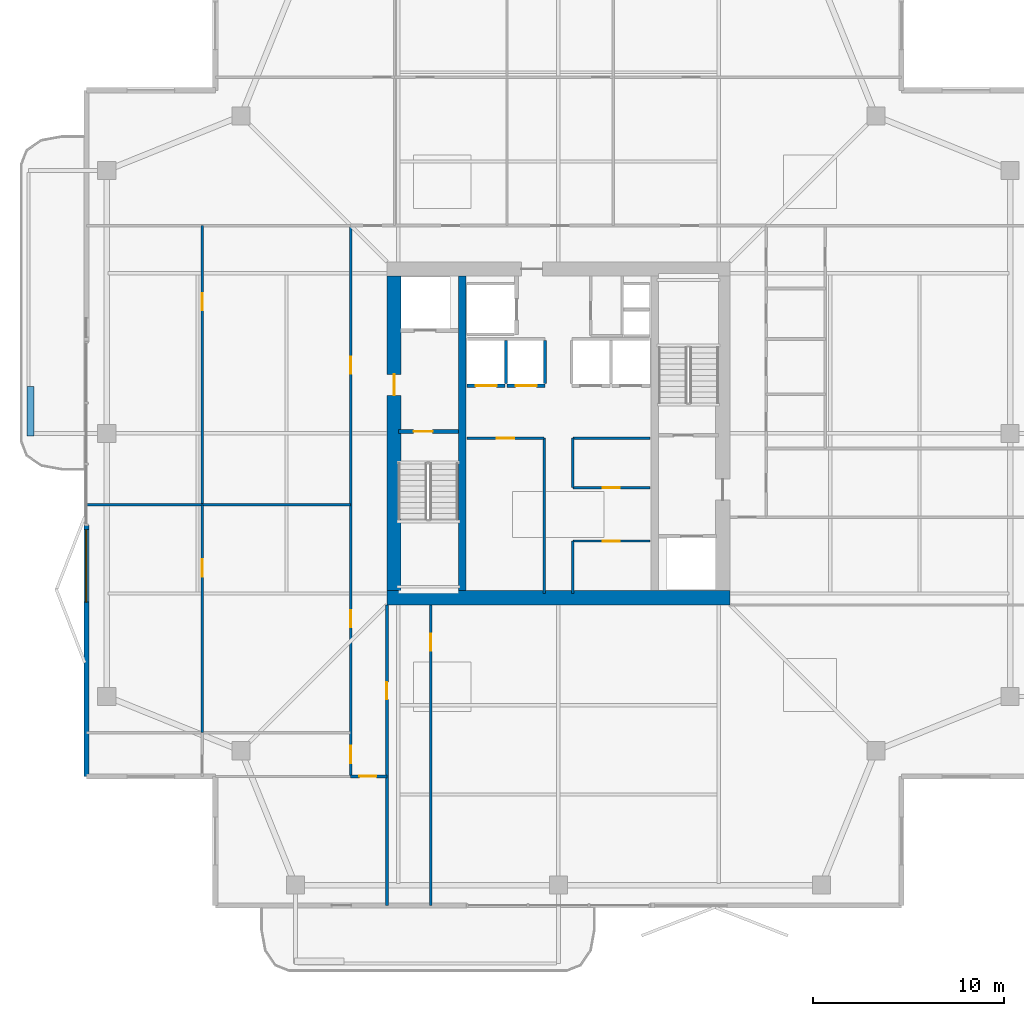
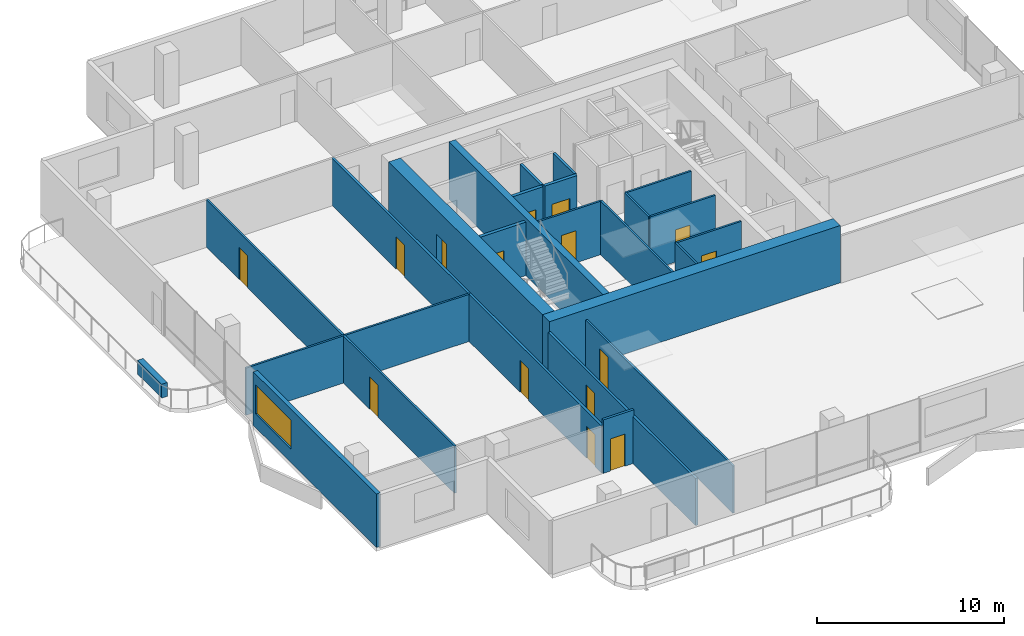
# One storey, part 18 of 25: 24 walls, 15 doors, 1 window, 16 openings.
"""IFC4 building model written with IfcOpenShell, lengths in metres."""

import ifcopenshell
import ifcopenshell.guid

model = None  # the IFC model being written
_history = None  # IfcOwnerHistory: only IFC2X3 demands one
_inside = {}  # id of a spatial element -> (the spatial element, [elements in it])
_under = {}  # id of a project, library or spatial element -> (it, [spatial elements below it])
_declared = {}  # id of a project -> (the project, [libraries it declares])
_typed = {}  # id of a type object -> (the type object, [elements of that type])
_made_of = {}  # id of a material, layer set ... -> (it, [elements and type objects made of it])


def new_model(schema):
    """Start an empty IFC model of exactly this schema.

    Asked for "IFC4X3", IfcOpenShell would pick the latest addendum, in which some entities
    have other attributes; the version numbers below select the first issue.
    IFC2X3 requires an IfcOwnerHistory on every rooted entity: one is made here for all.
    """
    global model, _history
    if schema == "IFC4X3":
        model = ifcopenshell.file(schema_version=(4, 3, 0, 0))
    else:
        model = ifcopenshell.file(schema=schema)
    _inside.clear()
    _under.clear()
    _declared.clear()
    _typed.clear()
    _made_of.clear()
    _history = None
    if model.schema == "IFC2X3":
        org = make("IfcOrganization", Name="unknown")
        user = make(
            "IfcPersonAndOrganization",
            ThePerson=make("IfcPerson", FamilyName="unknown"),
            TheOrganization=org,
        )
        app = make(
            "IfcApplication",
            ApplicationDeveloper=org,
            Version="unknown",
            ApplicationFullName="unknown",
            ApplicationIdentifier="unknown",
        )
        _history = make(
            "IfcOwnerHistory",
            OwningUser=user,
            OwningApplication=app,
            ChangeAction="ADDED",
            CreationDate=0,
        )
    return model


def make(cls, **values):
    """One entity of the class cls with the attributes given. An attribute that is None is left unset."""
    return model.create_entity(
        cls, **{name: value for name, value in values.items() if value is not None}
    )


def rooted(cls, **values):
    """An entity with a GlobalId (a new one), such as an element, a storey or a relation."""
    return make(cls, GlobalId=ifcopenshell.guid.new(), OwnerHistory=_history, **values)


def si_unit(unit_type, name, prefix=None):
    """IfcSIUnit, for example si_unit("LENGTHUNIT", "METRE", prefix="MILLI")."""
    return make("IfcSIUnit", UnitType=unit_type, Prefix=prefix, Name=name)


def assignment(units):
    """IfcUnitAssignment: the units of a project."""
    return None if units is None else make("IfcUnitAssignment", Units=units)


def point(xyz):
    """IfcCartesianPoint."""
    return None if xyz is None else make("IfcCartesianPoint", Coordinates=xyz)


def direction(xyz):
    """IfcDirection."""
    return None if xyz is None else make("IfcDirection", DirectionRatios=xyz)


def frame(location, z_axis=None, x_axis=None):
    """IfcAxis2Placement3D, a coordinate frame: its origin and axes. An axis left out is left unset."""
    return make(
        "IfcAxis2Placement3D",
        Location=point(location),
        Axis=direction(z_axis),
        RefDirection=direction(x_axis),
    )


def frame_2d(location, x_axis=None):
    """IfcAxis2Placement2D, a coordinate frame in the plane: its origin and x axis."""
    return make(
        "IfcAxis2Placement2D", Location=point(location), RefDirection=direction(x_axis)
    )


def origin():
    """The frame at (0, 0, 0) with its axes left unset."""
    return frame((0.0, 0.0, 0.0))


def place(relative_to, where):
    """IfcLocalPlacement: puts the frame where relative to a parent placement (None: the world)."""
    return make(
        "IfcLocalPlacement", PlacementRelTo=relative_to, RelativePlacement=where
    )


def context(
    kind, dimensions, precision=None, world=None, true_north=None, identifier=None
):
    """IfcGeometricRepresentationContext, for example the 3D "Model" context."""
    return make(
        "IfcGeometricRepresentationContext",
        ContextIdentifier=identifier,
        ContextType=kind,
        CoordinateSpaceDimension=dimensions,
        Precision=precision,
        WorldCoordinateSystem=world,
        TrueNorth=true_north,
    )


def subcontext(parent, identifier, kind, view, scale=None):
    """IfcGeometricRepresentationSubContext, for example "Body" below "Model"."""
    return make(
        "IfcGeometricRepresentationSubContext",
        ContextIdentifier=identifier,
        ContextType=kind,
        ParentContext=parent,
        TargetScale=scale,
        TargetView=view,
    )


def project(units=None, contexts=None):
    """IfcProject with its units and contexts."""
    return rooted(
        "IfcProject",
        Name="project",
        RepresentationContexts=contexts,
        UnitsInContext=assignment(units),
    )


def spatial(cls, under=None, at=None, **own):
    """A site, building, storey or space (cls), placed at a placement, below another one or the project."""
    s = rooted(cls, ObjectPlacement=at, **own)
    if under is not None:
        _under.setdefault(under.id(), (under, []))[1].append(s)
    return s


def profile(cls, at=None, kind="AREA", **sizes):
    """A parametric profile (cls). Its sizes go by their IFC names, for example OverallWidth=200.0."""
    return make(cls, ProfileType=kind, Position=at, **sizes)


def rectangle(**sizes):
    """IfcRectangleProfileDef."""
    return profile("IfcRectangleProfileDef", **sizes)


def extrude(swept, where, along, depth):
    """IfcExtrudedAreaSolid: the profile swept, set in the frame where, extruded along a direction by depth."""
    return make(
        "IfcExtrudedAreaSolid",
        SweptArea=swept,
        Position=where,
        ExtrudedDirection=direction(along),
        Depth=depth,
    )


def shape(context_of_items, identifier, shape_type, items):
    """IfcShapeRepresentation: the items that make up one representation, for example the "Body"."""
    return make(
        "IfcShapeRepresentation",
        ContextOfItems=context_of_items,
        RepresentationIdentifier=identifier,
        RepresentationType=shape_type,
        Items=items,
    )


def material(Name=None, Category=None):
    """IfcMaterial."""
    return make("IfcMaterial", Name=Name, Category=Category)


def layer(
    of_material, thickness, ventilated=None, Name=None, Category=None, Priority=None
):
    """IfcMaterialLayer: one layer of a wall or slab, of a material (None: an air gap)."""
    return make(
        "IfcMaterialLayer",
        Material=of_material,
        LayerThickness=thickness,
        IsVentilated=ventilated,
        Name=Name,
        Category=Category,
        Priority=Priority,
    )


def layer_set(layers, Name=None):
    """IfcMaterialLayerSet."""
    return make("IfcMaterialLayerSet", MaterialLayers=layers, LayerSetName=Name)


def made_of(thing, what):
    """Note that an element or type object is made of a material, layer set ...; save() writes the relation."""
    if what is not None:
        _made_of.setdefault(what.id(), (what, []))[1].append(thing)
    return thing


def type_object(cls, material=None, **own):
    """A type object (cls), such as IfcWallType, which elements share."""
    return made_of(rooted(cls, **own), material)


def element(
    cls,
    number,
    at=None,
    inside=None,
    cuts=None,
    type_object=None,
    material=None,
    context=None,
    identifier="Body",
    shape_type=None,
    held_by="IfcProductDefinitionShape",
    body=None,
    shapes=None,
    **own,
):
    """One element of the class cls, such as IfcWall. Its Tag is "e" and its number.

    at: its placement. inside: the storey or other place that contains it. cuts: it is an
    opening in that element (IfcRelVoidsElement). A single representation is given by context,
    identifier, shape_type and body (its items); several are given by shapes. held_by: the class
    of the entity that holds the representations. save() writes the other relations.
    """
    e = rooted(cls, Tag="e%d" % number, ObjectPlacement=at, **own)
    if body is not None:
        shapes = [shape(context, identifier, shape_type, body)]
    if shapes is not None:
        e.Representation = make(held_by, Representations=shapes)
    if inside is not None:
        _inside.setdefault(inside.id(), (inside, []))[1].append(e)
    if cuts is not None:
        rooted(
            "IfcRelVoidsElement", RelatingBuildingElement=cuts, RelatedOpeningElement=e
        )
    if type_object is not None:
        _typed.setdefault(type_object.id(), (type_object, []))[1].append(e)
    return made_of(e, material)


def fill(opening, filler):
    """IfcRelFillsElement: the door or window that sits in an opening."""
    return rooted(
        "IfcRelFillsElement",
        RelatingOpeningElement=opening,
        RelatedBuildingElement=filler,
    )


def aggregate(whole, parts):
    """IfcRelAggregates: a whole, such as a stair, and the parts it consists of."""
    return rooted("IfcRelAggregates", RelatingObject=whole, RelatedObjects=parts)


def save(model, path):
    """Write the relations noted so far, then the file.

    IfcRelAggregates (storeys below a building ...), IfcRelContainedInSpatialStructure (elements
    in a storey), IfcRelDefinesByType, IfcRelAssociatesMaterial and IfcRelDeclares: one each for
    every whole, place, type object, material and project.
    """
    for whole, parts in _under.values():
        aggregate(whole, parts)
    for where, things in _inside.values():
        rooted(
            "IfcRelContainedInSpatialStructure",
            RelatedElements=things,
            RelatingStructure=where,
        )
    for kind, things in _typed.values():
        rooted("IfcRelDefinesByType", RelatedObjects=things, RelatingType=kind)
    for what, things in _made_of.values():
        rooted("IfcRelAssociatesMaterial", RelatedObjects=things, RelatingMaterial=what)
    for by, libraries in _declared.values():
        rooted("IfcRelDeclares", RelatingContext=by, RelatedDefinitions=libraries)
    model.write(path)


model = new_model("IFC4")

# Units and contexts
model_context = context("Model", 3, precision=1e-05, world=origin(), true_north=direction((0.0, 1.0)))
body_context = subcontext(model_context, "Body", "Model", "MODEL_VIEW")
ifc_project = project(units=[si_unit("LENGTHUNIT", "METRE"), si_unit("AREAUNIT", "SQUARE_METRE"), si_unit("VOLUMEUNIT", "CUBIC_METRE"), si_unit("PLANEANGLEUNIT", "RADIAN"), si_unit("MASSUNIT", "GRAM", prefix="KILO")], contexts=[model_context])

# Site, building, storey
site_placement = place(None, origin())
site = spatial("IfcSite", under=ifc_project, at=site_placement, CompositionType="ELEMENT")
building_placement = place(site_placement, origin())
building = spatial("IfcBuilding", under=site, at=building_placement, Name="Belovzor Exchange Tower", CompositionType="ELEMENT")
storey_placement = place(building_placement, frame((0.0, 0.0, 254.10009765625)))
storey = spatial("IfcBuildingStorey", under=building, at=storey_placement, Name="L63", CompositionType="ELEMENT", Elevation=254.10009765625)

# Wall, opening, door
ifc_material_1 = material(Name="Acoustic Plasterboard on Galvanised Studs", Category="gypsum")
ifc_layer_1 = layer(ifc_material_1, 0.1201171875)
ifc_layer_set_1 = layer_set([ifc_layer_1], Name="Acoustic Plasterboard on Galvanised Studs")
wall_type_1 = type_object("IfcWallType", Name="Acoustic Double-Stud Partition Wall 120", PredefinedType="PARTITIONING", material=ifc_layer_set_1)
wall_1_placement = place(storey_placement, frame((10.114990234375, 13.10009765625, 0.0), z_axis=(0.0, 0.0, 1.0), x_axis=(0.0, 1.0, 0.0)))
wall_1 = element("IfcWall", 1, at=wall_1_placement, inside=storey, type_object=wall_type_1, Name="W-P120 Partition Wall W-L63-WHDIV-1", PredefinedType="PARTITIONING", context=body_context, shape_type="SweptSolid", body=[
    extrude(rectangle(XDim=11.954833984375, YDim=0.1201171875, at=frame_2d((5.9775390625, 0.0))), origin(), (0.0, 0.0, 1.0), 3.0849609375),
])
opening_1_placement = place(wall_1_placement, frame((8.19091796875, 0.0, 0.0)))
opening_1 = element("IfcOpeningElement", 2, at=opening_1_placement, cuts=wall_1, Name="Opening D-INT-090", PredefinedType="OPENING", context=body_context, shape_type="SweptSolid", body=[
    extrude(rectangle(XDim=0.89990234375, YDim=2.10009765625, at=frame_2d((0.449951171875, 1.050048828125))), frame((0.0, 0.070068359375, 0.0), z_axis=(0.0, -1.0, 0.0), x_axis=(1.0, 0.0, 0.0)), (0.0, 0.0, 1.0), 0.14013671875),
])
ifc_material_2 = material(Name="Veneered Hardwood Acoustic Leaf", Category="wood")
door_type_1 = type_object("IfcDoorType", Name="Trading Suite Acoustic Single Door 900x2100", OperationType="NOTDEFINED", PredefinedType="DOOR", material=ifc_material_2)
door_1_placement = place(opening_1_placement, origin())
door_1 = element("IfcDoor", 3, at=door_1_placement, inside=storey, type_object=door_type_1, Name="D-INT-090 Trading Suite Acoustic Single Door 900x2100", OperationType="SINGLE_SWING_LEFT", OverallHeight=2.10009765625, OverallWidth=0.89990234375, PredefinedType="DOOR", context=body_context, shape_type="SweptSolid", body=[
    extrude(rectangle(XDim=0.89990234375, YDim=2.10009765625, at=frame_2d((0.449951171875, 1.050048828125))), frame((0.0, 0.02490234375, 0.0), z_axis=(0.0, -1.0, 0.0), x_axis=(1.0, 0.0, 0.0)), (0.0, 0.0, 1.0), 0.050048828125),
])
fill(opening_1, door_1)

# Wall
wall_2_placement = place(storey_placement, frame((4.030029296875, 25.054931640625, 0.0), z_axis=(0.0, 0.0, 1.0), x_axis=(1.0, 0.0, 0.0)))
element("IfcWall", 4, at=wall_2_placement, inside=storey, type_object=wall_type_1, Name="W-P120 Partition Wall W-L63-WDIV-2", PredefinedType="PARTITIONING", context=body_context, shape_type="SweptSolid", body=[
    extrude(rectangle(XDim=13.869873046875, YDim=0.1201171875, at=frame_2d((6.93505859375, 0.0))), origin(), (0.0, 0.0, 1.0), 3.0849609375),
])

# Wall, opening, door
wall_3_placement = place(storey_placement, frame((10.114990234375, 25.054931640625, 0.0), z_axis=(0.0, 0.0, 1.0), x_axis=(0.0, 1.0, 0.0)))
wall_3 = element("IfcWall", 5, at=wall_3_placement, inside=storey, type_object=wall_type_1, Name="W-P120 Partition Wall W-L63-WHDIV-2", PredefinedType="PARTITIONING", context=body_context, shape_type="SweptSolid", body=[
    extrude(rectangle(XDim=14.64501953125, YDim=0.1201171875, at=frame_2d((7.322509765625, 0.0))), origin(), (0.0, 0.0, 1.0), 3.0849609375),
])
opening_2_placement = place(wall_3_placement, frame((10.208984375, 0.0, 0.0)))
opening_2 = element("IfcOpeningElement", 6, at=opening_2_placement, cuts=wall_3, Name="Opening D-INT-090", PredefinedType="OPENING", context=body_context, shape_type="SweptSolid", body=[
    extrude(rectangle(XDim=0.89990234375, YDim=2.10009765625, at=frame_2d((0.449951171875, 1.050048828125))), frame((0.0, 0.070068359375, 0.0), z_axis=(0.0, -1.0, 0.0), x_axis=(1.0, 0.0, 0.0)), (0.0, 0.0, 1.0), 0.14013671875),
])
door_2_placement = place(opening_2_placement, origin())
door_2 = element("IfcDoor", 7, at=door_2_placement, inside=storey, type_object=door_type_1, Name="D-INT-090 Trading Suite Acoustic Single Door 900x2100", OperationType="SINGLE_SWING_LEFT", OverallHeight=2.10009765625, OverallWidth=0.89990234375, PredefinedType="DOOR", context=body_context, shape_type="SweptSolid", body=[
    extrude(rectangle(XDim=0.89990234375, YDim=2.10009765625, at=frame_2d((0.449951171875, 1.050048828125))), frame((0.0, 0.02490234375, 0.0), z_axis=(0.0, -1.0, 0.0), x_axis=(1.0, 0.0, 0.0)), (0.0, 0.0, 1.0), 0.050048828125),
])
fill(opening_2, door_2)

wall_4_placement = place(storey_placement, frame((22.10009765625, 4.030029296875, 0.0), z_axis=(0.0, 0.0, 1.0), x_axis=(0.0, 1.0, 0.0)))
wall_4 = element("IfcWall", 8, at=wall_4_placement, inside=storey, type_object=wall_type_1, Name="W-P120 Partition Wall W-L63-SDIV-1", PredefinedType="PARTITIONING", context=body_context, shape_type="SweptSolid", body=[
    extrude(rectangle(XDim=15.77001953125, YDim=0.1201171875, at=frame_2d((7.885009765625, 0.0))), origin(), (0.0, 0.0, 1.0), 3.0849609375),
])
opening_3_placement = place(wall_4_placement, frame((13.3701171875, 0.0, 0.0)))
opening_3 = element("IfcOpeningElement", 9, at=opening_3_placement, cuts=wall_4, Name="Opening D-INT-090", PredefinedType="OPENING", context=body_context, shape_type="SweptSolid", body=[
    extrude(rectangle(XDim=0.89990234375, YDim=2.10009765625, at=frame_2d((0.449951171875, 1.050048828125))), frame((0.0, 0.070068359375, 0.0), z_axis=(0.0, -1.0, 0.0), x_axis=(1.0, 0.0, 0.0)), (0.0, 0.0, 1.0), 0.14013671875),
])
door_3_placement = place(opening_3_placement, origin())
door_3 = element("IfcDoor", 10, at=door_3_placement, inside=storey, type_object=door_type_1, Name="D-INT-090 Trading Suite Acoustic Single Door 900x2100", OperationType="SINGLE_SWING_LEFT", OverallHeight=2.10009765625, OverallWidth=0.89990234375, PredefinedType="DOOR", context=body_context, shape_type="SweptSolid", body=[
    extrude(rectangle(XDim=0.89990234375, YDim=2.10009765625, at=frame_2d((0.449951171875, 1.050048828125))), frame((0.0, 0.02490234375, 0.0), z_axis=(0.0, -1.0, 0.0), x_axis=(1.0, 0.0, 0.0)), (0.0, 0.0, 1.0), 0.050048828125),
])
fill(opening_3, door_3)

ifc_material_3 = material(Name="Fire-Rated Plasterboard on Galvanised Studs", Category="gypsum")
ifc_layer_2 = layer(ifc_material_3, 0.1201171875)
ifc_layer_set_2 = layer_set([ifc_layer_2], Name="Fire-Rated Plasterboard on Galvanised Studs")
wall_type_2 = type_object("IfcWallType", Name="Fire-Rated Double-Stud Partition Wall 120", PredefinedType="PARTITIONING", material=ifc_layer_set_2)
wall_5_placement = place(storey_placement, frame((24.0, 28.550048828125, 0.0), z_axis=(0.0, 0.0, 1.0), x_axis=(1.0, 0.0, 0.0)))
wall_5 = element("IfcWall", 11, at=wall_5_placement, inside=storey, type_object=wall_type_2, Name="W-P120F Partition Wall W-CRWB-L63-N", PredefinedType="PARTITIONING", context=body_context, shape_type="SweptSolid", body=[
    extrude(rectangle(XDim=4.050048828125, YDim=0.1201171875, at=frame_2d((2.02490234375, 0.0))), origin(), (0.0, 0.0, 1.0), 3.5),
])
opening_4_placement = place(wall_5_placement, frame((1.574951171875, 0.0, 0.0)))
opening_4 = element("IfcOpeningElement", 12, at=opening_4_placement, cuts=wall_5, Name="Opening D-FD60-090", PredefinedType="OPENING", context=body_context, shape_type="SweptSolid", body=[
    extrude(rectangle(XDim=0.89990234375, YDim=2.10009765625, at=frame_2d((0.449951171875, 1.050048828125))), frame((0.0, 0.070068359375, 0.0), z_axis=(0.0, -1.0, 0.0), x_axis=(1.0, 0.0, 0.0)), (0.0, 0.0, 1.0), 0.14013671875),
])
ifc_material_4 = material(Name="Acoustic Timber Fire Leaf", Category="wood")
door_type_2 = type_object("IfcDoorType", Name="Core Service & Restroom Fire Door 900x2100", OperationType="NOTDEFINED", PredefinedType="DOOR", material=ifc_material_4)
door_4_placement = place(opening_4_placement, origin())
door_4 = element("IfcDoor", 13, at=door_4_placement, inside=storey, type_object=door_type_2, Name="D-FD60-090 Core Service & Restroom Fire Door 900x2100", OperationType="SINGLE_SWING_LEFT", OverallHeight=2.10009765625, OverallWidth=0.89990234375, PredefinedType="DOOR", context=body_context, shape_type="SweptSolid", body=[
    extrude(rectangle(XDim=0.89990234375, YDim=2.10009765625, at=frame_2d((0.449951171875, 1.050048828125))), frame((0.0, 0.02490234375, 0.0), z_axis=(0.0, -1.0, 0.0), x_axis=(1.0, 0.0, 0.0)), (0.0, 0.0, 1.0), 0.050048828125),
])
fill(opening_4, door_4)

# Wall
wall_6_placement = place(storey_placement, frame((28.050048828125, 20.39990234375, 0.0), z_axis=(0.0, 0.0, 1.0), x_axis=(0.0, 1.0, 0.0)))
element("IfcWall", 14, at=wall_6_placement, inside=storey, type_object=wall_type_2, Name="W-P120F Partition Wall W-CRWB-L63-E", PredefinedType="PARTITIONING", context=body_context, shape_type="SweptSolid", body=[
    extrude(rectangle(XDim=8.150146484375, YDim=0.1201171875, at=frame_2d((4.0751953125, 0.0))), origin(), (0.0, 0.0, 1.0), 3.5),
])

# Wall, opening, door
wall_7_placement = place(storey_placement, frame((29.550048828125, 23.14990234375, 0.0), z_axis=(0.0, 0.0, 1.0), x_axis=(1.0, 0.0, 0.0)))
wall_7 = element("IfcWall", 15, at=wall_7_placement, inside=storey, type_object=wall_type_2, Name="W-P120F Partition Wall W-CRL-L63-EN", PredefinedType="PARTITIONING", context=body_context, shape_type="SweptSolid", body=[
    extrude(rectangle(XDim=4.050048828125, YDim=0.1201171875, at=frame_2d((2.02490234375, 0.0))), origin(), (0.0, 0.0, 1.0), 3.5),
])
opening_5_placement = place(wall_7_placement, frame((1.574951171875, 0.0, 0.0)))
opening_5 = element("IfcOpeningElement", 16, at=opening_5_placement, cuts=wall_7, Name="Opening D-FD60-090", PredefinedType="OPENING", context=body_context, shape_type="SweptSolid", body=[
    extrude(rectangle(XDim=0.89990234375, YDim=2.10009765625, at=frame_2d((0.449951171875, 1.050048828125))), frame((0.0, 0.070068359375, 0.0), z_axis=(0.0, -1.0, 0.0), x_axis=(1.0, 0.0, 0.0)), (0.0, 0.0, 1.0), 0.14013671875),
])
door_5_placement = place(opening_5_placement, origin())
door_5 = element("IfcDoor", 17, at=door_5_placement, inside=storey, type_object=door_type_2, Name="D-FD60-090 Core Service & Restroom Fire Door 900x2100", OperationType="SINGLE_SWING_RIGHT", OverallHeight=2.10009765625, OverallWidth=0.89990234375, PredefinedType="DOOR", context=body_context, shape_type="SweptSolid", body=[
    extrude(rectangle(XDim=0.89990234375, YDim=2.10009765625, at=frame_2d((0.449951171875, 1.050048828125))), frame((0.0, 0.02490234375, 0.0), z_axis=(0.0, -1.0, 0.0), x_axis=(1.0, 0.0, 0.0)), (0.0, 0.0, 1.0), 0.050048828125),
])
fill(opening_5, door_5)

# Wall
wall_8_placement = place(storey_placement, frame((29.550048828125, 20.39990234375, 0.0), z_axis=(0.0, 0.0, 1.0), x_axis=(0.0, 1.0, 0.0)))
element("IfcWall", 18, at=wall_8_placement, inside=storey, type_object=wall_type_2, Name="W-P120F Partition Wall W-CRL-L63-EW", PredefinedType="PARTITIONING", context=body_context, shape_type="SweptSolid", body=[
    extrude(rectangle(XDim=2.75, YDim=0.1201171875, at=frame_2d((1.375, 0.0))), origin(), (0.0, 0.0, 1.0), 3.5),
])

# Wall, opening, door
wall_9_placement = place(storey_placement, frame((29.550048828125, 25.949951171875, 0.0), z_axis=(0.0, 0.0, 1.0), x_axis=(1.0, 0.0, 0.0)))
wall_9 = element("IfcWall", 19, at=wall_9_placement, inside=storey, type_object=wall_type_2, Name="W-P120F Partition Wall W-CRM-L63-ES", PredefinedType="PARTITIONING", context=body_context, shape_type="SweptSolid", body=[
    extrude(rectangle(XDim=4.050048828125, YDim=0.1201171875, at=frame_2d((2.02490234375, 0.0))), origin(), (0.0, 0.0, 1.0), 3.5),
])
opening_6_placement = place(wall_9_placement, frame((1.574951171875, 0.0, 0.0)))
opening_6 = element("IfcOpeningElement", 20, at=opening_6_placement, cuts=wall_9, Name="Opening D-FD60-090", PredefinedType="OPENING", context=body_context, shape_type="SweptSolid", body=[
    extrude(rectangle(XDim=0.89990234375, YDim=2.10009765625, at=frame_2d((0.449951171875, 1.050048828125))), frame((0.0, 0.070068359375, 0.0), z_axis=(0.0, -1.0, 0.0), x_axis=(1.0, 0.0, 0.0)), (0.0, 0.0, 1.0), 0.14013671875),
])
door_6_placement = place(opening_6_placement, origin())
door_6 = element("IfcDoor", 21, at=door_6_placement, inside=storey, type_object=door_type_2, Name="D-FD60-090 Core Service & Restroom Fire Door 900x2100", OperationType="SINGLE_SWING_RIGHT", OverallHeight=2.10009765625, OverallWidth=0.89990234375, PredefinedType="DOOR", context=body_context, shape_type="SweptSolid", body=[
    extrude(rectangle(XDim=0.89990234375, YDim=2.10009765625, at=frame_2d((0.449951171875, 1.050048828125))), frame((0.0, 0.02490234375, 0.0), z_axis=(0.0, -1.0, 0.0), x_axis=(1.0, 0.0, 0.0)), (0.0, 0.0, 1.0), 0.050048828125),
])
fill(opening_6, door_6)

# Walls
wall_10_placement = place(storey_placement, frame((29.550048828125, 28.550048828125, 0.0), z_axis=(0.0, 0.0, 1.0), x_axis=(1.0, 0.0, 0.0)))
element("IfcWall", 22, at=wall_10_placement, inside=storey, type_object=wall_type_2, Name="W-P120F Partition Wall W-CRM-L63-EN", PredefinedType="PARTITIONING", context=body_context, shape_type="SweptSolid", body=[
    extrude(rectangle(XDim=4.050048828125, YDim=0.1201171875, at=frame_2d((2.02490234375, 0.0))), origin(), (0.0, 0.0, 1.0), 3.5),
])
wall_11_placement = place(storey_placement, frame((29.550048828125, 25.949951171875, 0.0), z_axis=(0.0, 0.0, 1.0), x_axis=(0.0, 1.0, 0.0)))
element("IfcWall", 23, at=wall_11_placement, inside=storey, type_object=wall_type_2, Name="W-P120F Partition Wall W-CRM-L63-EW", PredefinedType="PARTITIONING", context=body_context, shape_type="SweptSolid", body=[
    extrude(rectangle(XDim=2.60009765625, YDim=0.1201171875, at=frame_2d((1.300048828125, 0.0))), origin(), (0.0, 0.0, 1.0), 3.5),
])

# Wall, opening, door
ifc_material_5 = material(Name="Fire-Rated Gypsum Block and Mineral Wool", Category="gypsum")
ifc_layer_3 = layer(ifc_material_5, 0.14990234375)
ifc_layer_set_3 = layer_set([ifc_layer_3], Name="Fire-Rated Gypsum Block and Mineral Wool")
wall_type_3 = type_object("IfcWallType", Name="Fire-Rated Gypsum Block Corridor Wall 150", PredefinedType="PARTITIONING", material=ifc_layer_set_3)
wall_12_placement = place(storey_placement, frame((17.89990234375, 10.800048828125, 0.0), z_axis=(0.0, 0.0, 1.0), x_axis=(1.0, 0.0, 0.0)))
wall_12 = element("IfcWall", 24, at=wall_12_placement, inside=storey, type_object=wall_type_3, Name="W-P150 Partition Wall W-L63-CW-END", PredefinedType="PARTITIONING", context=body_context, shape_type="SweptSolid", body=[
    extrude(rectangle(XDim=1.900146484375, YDim=0.14990234375, at=frame_2d((0.9501953125, 0.0))), origin(), (0.0, 0.0, 1.0), 3.5),
])
opening_7_placement = place(wall_12_placement, frame((0.449951171875, 0.0, 0.0)))
opening_7 = element("IfcOpeningElement", 25, at=opening_7_placement, cuts=wall_12, Name="Opening D-FD60-090", PredefinedType="OPENING", context=body_context, shape_type="SweptSolid", body=[
    extrude(rectangle(XDim=0.89990234375, YDim=2.10009765625, at=frame_2d((0.449951171875, 1.050048828125))), frame((0.0, 0.0849609375, 0.0), z_axis=(0.0, -1.0, 0.0), x_axis=(1.0, 0.0, 0.0)), (0.0, 0.0, 1.0), 0.169921875),
])
door_7_placement = place(opening_7_placement, origin())
door_7 = element("IfcDoor", 26, at=door_7_placement, inside=storey, type_object=door_type_2, Name="D-FD60-090 Core Service & Restroom Fire Door 900x2100", OperationType="SINGLE_SWING_LEFT", OverallHeight=2.10009765625, OverallWidth=0.89990234375, PredefinedType="DOOR", context=body_context, shape_type="SweptSolid", body=[
    extrude(rectangle(XDim=0.89990234375, YDim=2.10009765625, at=frame_2d((0.449951171875, 1.050048828125))), frame((0.0, 0.02490234375, 0.0), z_axis=(0.0, -1.0, 0.0), x_axis=(1.0, 0.0, 0.0)), (0.0, 0.0, 1.0), 0.050048828125),
])
fill(opening_7, door_7)

wall_13_placement = place(storey_placement, frame((19.800048828125, 4.030029296875, 0.0), z_axis=(0.0, 0.0, 1.0), x_axis=(0.0, 1.0, 0.0)))
wall_13 = element("IfcWall", 27, at=wall_13_placement, inside=storey, type_object=wall_type_3, Name="W-P150 Partition Wall W-L63-CW-E", PredefinedType="PARTITIONING", context=body_context, shape_type="SweptSolid", body=[
    extrude(rectangle(XDim=15.77001953125, YDim=0.14990234375, at=frame_2d((7.885009765625, 0.0))), origin(), (0.0, 0.0, 1.0), 3.0849609375),
])
opening_8_placement = place(wall_13_placement, frame((10.820068359375, 0.0, 0.0)))
opening_8 = element("IfcOpeningElement", 28, at=opening_8_placement, cuts=wall_13, Name="Opening D-FD60-090", PredefinedType="OPENING", context=body_context, shape_type="SweptSolid", body=[
    extrude(rectangle(XDim=0.89990234375, YDim=2.10009765625, at=frame_2d((0.449951171875, 1.050048828125))), frame((0.0, 0.0849609375, 0.0), z_axis=(0.0, -1.0, 0.0), x_axis=(1.0, 0.0, 0.0)), (0.0, 0.0, 1.0), 0.169921875),
])
door_8_placement = place(opening_8_placement, origin())
door_8 = element("IfcDoor", 29, at=door_8_placement, inside=storey, type_object=door_type_2, Name="D-FD60-090 Core Service & Restroom Fire Door 900x2100", OperationType="SINGLE_SWING_RIGHT", OverallHeight=2.10009765625, OverallWidth=0.89990234375, PredefinedType="DOOR", context=body_context, shape_type="SweptSolid", body=[
    extrude(rectangle(XDim=0.89990234375, YDim=2.10009765625, at=frame_2d((0.449951171875, 1.050048828125))), frame((0.0, 0.02490234375, 0.0), z_axis=(0.0, -1.0, 0.0), x_axis=(1.0, 0.0, 0.0)), (0.0, 0.0, 1.0), 0.050048828125),
])
fill(opening_8, door_8)

# Wall, openings, doors
wall_14_placement = place(storey_placement, frame((17.89990234375, 10.800048828125, 0.0), z_axis=(0.0, 0.0, 1.0), x_axis=(0.0, 1.0, 0.0)))
wall_14 = element("IfcWall", 30, at=wall_14_placement, inside=storey, type_object=wall_type_3, Name="W-P150 Partition Wall W-L63-CW", PredefinedType="PARTITIONING", context=body_context, shape_type="SweptSolid", body=[
    extrude(rectangle(XDim=28.89990234375, YDim=0.14990234375, at=frame_2d((14.449951171875, 0.0))), origin(), (0.0, 0.0, 1.0), 3.0849609375),
])
opening_9_placement = place(wall_14_placement, frame((0.699951171875, 0.0, 0.0)))
opening_9 = element("IfcOpeningElement", 31, at=opening_9_placement, cuts=wall_14, Name="Opening D-INT-090", PredefinedType="OPENING", context=body_context, shape_type="SweptSolid", body=[
    extrude(rectangle(XDim=0.89990234375, YDim=2.10009765625, at=frame_2d((0.449951171875, 1.050048828125))), frame((0.0, 0.0849609375, 0.0), z_axis=(0.0, -1.0, 0.0), x_axis=(1.0, 0.0, 0.0)), (0.0, 0.0, 1.0), 0.169921875),
])
opening_10_placement = place(wall_14_placement, frame((7.827880859375, 0.0, 0.0)))
opening_10 = element("IfcOpeningElement", 32, at=opening_10_placement, cuts=wall_14, Name="Opening D-INT-090", PredefinedType="OPENING", context=body_context, shape_type="SweptSolid", body=[
    extrude(rectangle(XDim=0.89990234375, YDim=2.10009765625, at=frame_2d((0.449951171875, 1.050048828125))), frame((0.0, 0.0849609375, 0.0), z_axis=(0.0, -1.0, 0.0), x_axis=(1.0, 0.0, 0.0)), (0.0, 0.0, 1.0), 0.169921875),
])
opening_11_placement = place(wall_14_placement, frame((21.126953125, 0.0, 0.0)))
opening_11 = element("IfcOpeningElement", 33, at=opening_11_placement, cuts=wall_14, Name="Opening D-INT-090", PredefinedType="OPENING", context=body_context, shape_type="SweptSolid", body=[
    extrude(rectangle(XDim=0.89990234375, YDim=2.10009765625, at=frame_2d((0.449951171875, 1.050048828125))), frame((0.0, 0.0849609375, 0.0), z_axis=(0.0, -1.0, 0.0), x_axis=(1.0, 0.0, 0.0)), (0.0, 0.0, 1.0), 0.169921875),
])
door_9_placement = place(opening_9_placement, origin())
door_9 = element("IfcDoor", 34, at=door_9_placement, inside=storey, type_object=door_type_1, Name="D-INT-090 Trading Suite Acoustic Single Door 900x2100", OperationType="SINGLE_SWING_RIGHT", OverallHeight=2.10009765625, OverallWidth=0.89990234375, PredefinedType="DOOR", context=body_context, shape_type="SweptSolid", body=[
    extrude(rectangle(XDim=0.89990234375, YDim=2.10009765625, at=frame_2d((0.449951171875, 1.050048828125))), frame((0.0, 0.02490234375, 0.0), z_axis=(0.0, -1.0, 0.0), x_axis=(1.0, 0.0, 0.0)), (0.0, 0.0, 1.0), 0.050048828125),
])
fill(opening_9, door_9)
door_10_placement = place(opening_10_placement, origin())
door_10 = element("IfcDoor", 35, at=door_10_placement, inside=storey, type_object=door_type_1, Name="D-INT-090 Trading Suite Acoustic Single Door 900x2100", OperationType="SINGLE_SWING_LEFT", OverallHeight=2.10009765625, OverallWidth=0.89990234375, PredefinedType="DOOR", context=body_context, shape_type="SweptSolid", body=[
    extrude(rectangle(XDim=0.89990234375, YDim=2.10009765625, at=frame_2d((0.449951171875, 1.050048828125))), frame((0.0, 0.02490234375, 0.0), z_axis=(0.0, -1.0, 0.0), x_axis=(1.0, 0.0, 0.0)), (0.0, 0.0, 1.0), 0.050048828125),
])
fill(opening_10, door_10)
door_11_placement = place(opening_11_placement, origin())
door_11 = element("IfcDoor", 36, at=door_11_placement, inside=storey, type_object=door_type_1, Name="D-INT-090 Trading Suite Acoustic Single Door 900x2100", OperationType="SINGLE_SWING_RIGHT", OverallHeight=2.10009765625, OverallWidth=0.89990234375, PredefinedType="DOOR", context=body_context, shape_type="SweptSolid", body=[
    extrude(rectangle(XDim=0.89990234375, YDim=2.10009765625, at=frame_2d((0.449951171875, 1.050048828125))), frame((0.0, 0.02490234375, 0.0), z_axis=(0.0, -1.0, 0.0), x_axis=(1.0, 0.0, 0.0)), (0.0, 0.0, 1.0), 0.050048828125),
])
fill(opening_11, door_11)

# Wall, opening, window
ifc_material_6 = material(Name="Precast concrete C40/50", Category="concrete")
ifc_layer_4 = layer(ifc_material_6, 0.260009765625)
ifc_layer_set_4 = layer_set([ifc_layer_4], Name="Precast concrete C40/50")
wall_type_4 = type_object("IfcWallType", Name="Precast Concrete Perimeter Loggia Frame Wall 260", PredefinedType="SOLIDWALL", material=ifc_layer_set_4)
wall_15_placement = place(storey_placement, frame((4.030029296875, 10.800048828125, 0.0), z_axis=(0.0, 0.0, 1.0), x_axis=(0.0, 1.0, 0.0)))
wall_15 = element("IfcWall", 37, at=wall_15_placement, inside=storey, type_object=wall_type_4, Name="W-EXT260 Precast Concrete Perimeter Loggia Frame Wall 260 L63", PredefinedType="SOLIDWALL", context=body_context, shape_type="SweptSolid", body=[
    extrude(rectangle(XDim=13.199951171875, YDim=0.260009765625, at=frame_2d((6.60009765625, 0.0))), origin(), (0.0, 0.0, 1.0), 3.5),
])
opening_12_placement = place(wall_15_placement, frame((9.14990234375, 0.0, 0.89990234375)))
opening_12 = element("IfcOpeningElement", 38, at=opening_12_placement, cuts=wall_15, Name="Opening WN-RIB380", PredefinedType="OPENING", context=body_context, shape_type="SweptSolid", body=[
    extrude(rectangle(XDim=3.800048828125, YDim=1.89990234375, at=frame_2d((1.89990234375, 0.949951171875))), frame((0.0, 0.139892578125, 0.0), z_axis=(0.0, -1.0, 0.0), x_axis=(1.0, 0.0, 0.0)), (0.0, 0.0, 1.0), 0.280029296875),
])
ifc_material_7 = material(Name="Thermally Broken Aluminium and Triple Glazing", Category="aluminium")
window_type = type_object("IfcWindowType", Name="Streamline Moderne Horizontal Ribbon Window 3800x1900", PartitioningType="SINGLE_PANEL", PredefinedType="WINDOW", material=ifc_material_7)
window_placement = place(opening_12_placement, origin())
window = element("IfcWindow", 39, at=window_placement, inside=storey, type_object=window_type, Name="WN-RIB380 Streamline Moderne Horizontal Ribbon Window 3800x1900", OverallHeight=1.89990234375, OverallWidth=3.800048828125, PartitioningType="SINGLE_PANEL", PredefinedType="WINDOW", context=body_context, shape_type="SweptSolid", body=[
    extrude(rectangle(XDim=3.800048828125, YDim=1.89990234375, at=frame_2d((1.89990234375, 0.949951171875))), frame((0.0, 0.030029296875, 0.0), z_axis=(0.0, -1.0, 0.0), x_axis=(1.0, 0.0, 0.0)), (0.0, 0.0, 1.0), 0.06005859375),
])
fill(opening_12, window)

# Walls
ifc_material_8 = material(Name="Precast concrete C40/50", Category="concrete")
ifc_layer_5 = layer(ifc_material_8, 0.35009765625)
ifc_layer_set_5 = layer_set([ifc_layer_5], Name="Precast concrete C40/50")
wall_type_5 = type_object("IfcWallType", Name="Precast Concrete Structural Tree Planter Trough 350", PredefinedType="PARAPET", material=ifc_layer_set_5)
wall_16_placement = place(storey_placement, frame((1.10009765625, 28.64990234375, 0.0), z_axis=(0.0, 0.0, 1.0), x_axis=(0.0, 1.0, 0.0)))
element("IfcWall", 40, at=wall_16_placement, inside=storey, type_object=wall_type_5, Name="PT-350 Precast Concrete Structural Tree Planter Trough 350 L63", PredefinedType="PARAPET", context=body_context, shape_type="SweptSolid", body=[
    extrude(rectangle(XDim=2.60009765625, YDim=0.35009765625, at=frame_2d((1.300048828125, 0.0))), origin(), (0.0, 0.0, 1.0), 0.89990234375),
])
ifc_material_9 = material(Name="Concrete C50/60", Category="concrete")
ifc_layer_6 = layer(ifc_material_9, 0.39990234375)
ifc_layer_set_6 = layer_set([ifc_layer_6], Name="Concrete C50/60")
wall_type_6 = type_object("IfcWallType", Name="Reinforced Concrete Core Internal Web Wall 400", PredefinedType="SHEAR", material=ifc_layer_set_6)
wall_17_placement = place(storey_placement, frame((23.75, 20.550048828125, 0.0), z_axis=(0.0, 0.0, 1.0), x_axis=(0.0, 1.0, 0.0)))
element("IfcWall", 41, at=wall_17_placement, inside=storey, type_object=wall_type_6, Name="CW-W040 Core Internal Web Wall L63 WL", PredefinedType="SHEAR", context=body_context, shape_type="SweptSolid", body=[
    extrude(rectangle(XDim=16.5, YDim=0.39990234375, at=frame_2d((8.25, 0.0))), origin(), (0.0, 0.0, 1.0), 3.75),
])
ifc_material_10 = material(Name="Concrete C50/60", Category="concrete")
ifc_layer_7 = layer(ifc_material_10, 0.14990234375)
ifc_layer_set_7 = layer_set([ifc_layer_7], Name="Concrete C50/60")
wall_type_7 = type_object("IfcWallType", Name="Reinforced Concrete Core Riser Shear Wall 150", PredefinedType="SHEAR", material=ifc_layer_set_7)
for number, where, z_axis, x_axis, name in (
    (42, (26.050048828125, 31.419921875, 0.0), (0.0, 0.0, 1.0), (0.0, 1.0, 0.0), "W-C150S Core Shaft Wall W-SHD-L63-PLH-1"),
    (43, (28.10009765625, 31.419921875, 0.0), (0.0, 0.0, 1.0), (0.0, 1.0, 0.0), "W-C150S Core Shaft Wall W-SHD-L63-PLH-2"),
):
    element("IfcWall", number, at=place(storey_placement, frame(where, z_axis=z_axis, x_axis=x_axis)), inside=storey, type_object=wall_type_7, Name=name, PredefinedType="SHEAR", context=body_context, shape_type="SweptSolid", body=[
        extrude(rectangle(XDim=2.239990234375, YDim=0.14990234375, at=frame_2d((1.1201171875, 0.0))), origin(), (0.0, 0.0, 1.0), 3.5),
    ])

# Wall, opening, door
ifc_material_11 = material(Name="Concrete C50/60", Category="concrete")
ifc_layer_8 = layer(ifc_material_11, 0.199951171875)
ifc_layer_set_8 = layer_set([ifc_layer_8], Name="Concrete C50/60")
wall_type_8 = type_object("IfcWallType", Name="Reinforced Concrete Core Shaft Shear Wall 200", PredefinedType="SHEAR", material=ifc_layer_set_8)
wall_18_placement = place(storey_placement, frame((20.39990234375, 28.89990234375, 0.0), z_axis=(0.0, 0.0, 1.0), x_axis=(1.0, 0.0, 0.0)))
wall_18 = element("IfcWall", 44, at=wall_18_placement, inside=storey, type_object=wall_type_8, Name="W-C200S Core Shaft Wall W-CORE-L63-FFLW1", PredefinedType="SHEAR", context=body_context, shape_type="SweptSolid", body=[
    extrude(rectangle(XDim=3.150146484375, YDim=0.199951171875, at=frame_2d((1.5751953125, 0.0))), origin(), (0.0, 0.0, 1.0), 3.5),
])
opening_13_placement = place(wall_18_placement, frame((0.800048828125, 0.0, 0.0)))
opening_13 = element("IfcOpeningElement", 45, at=opening_13_placement, cuts=wall_18, Name="Opening D-FD90-100", PredefinedType="OPENING", context=body_context, shape_type="SweptSolid", body=[
    extrude(rectangle(XDim=1.0, YDim=2.10009765625, at=frame_2d((0.5, 1.050048828125))), frame((0.0, 0.10986328125, 0.0), z_axis=(0.0, -1.0, 0.0), x_axis=(1.0, 0.0, 0.0)), (0.0, 0.0, 1.0), 0.219970703125),
])
ifc_material_12 = material(Name="Fire-Rated Galvanised Steel Leaf", Category="steel")
door_type_3 = type_object("IfcDoorType", Name="Protected Stairwell Single Fire Door 1000x2100", OperationType="NOTDEFINED", PredefinedType="DOOR", material=ifc_material_12)
door_12_placement = place(opening_13_placement, origin())
door_12 = element("IfcDoor", 46, at=door_12_placement, inside=storey, type_object=door_type_3, Name="D-FD90-100 Protected Stairwell Single Fire Door 1000x2100", OperationType="SINGLE_SWING_RIGHT", OverallHeight=2.10009765625, OverallWidth=1.0, PredefinedType="DOOR", context=body_context, shape_type="SweptSolid", body=[
    extrude(rectangle(XDim=1.0, YDim=2.10009765625, at=frame_2d((0.5, 1.050048828125))), frame((0.0, 0.02490234375, 0.0), z_axis=(0.0, -1.0, 0.0), x_axis=(1.0, 0.0, 0.0)), (0.0, 0.0, 1.0), 0.050048828125),
])
fill(opening_13, door_12)

wall_19_placement = place(storey_placement, frame((24.0, 31.300048828125, 0.0), z_axis=(0.0, 0.0, 1.0), x_axis=(1.0, 0.0, 0.0)))
wall_19 = element("IfcWall", 47, at=wall_19_placement, inside=storey, type_object=wall_type_8, Name="W-C200S Core Shaft Wall W-SH-L63-PL-H1", PredefinedType="SHEAR", context=body_context, shape_type="SweptSolid", body=[
    extrude(rectangle(XDim=2.0, YDim=0.199951171875, at=frame_2d((1.0, 0.0))), origin(), (0.0, 0.0, 1.0), 3.5),
])
opening_14_placement = place(wall_19_placement, frame((0.449951171875, 0.0, 0.0)))
opening_14 = element("IfcOpeningElement", 48, at=opening_14_placement, cuts=wall_19, Name="Opening LD-110", PredefinedType="OPENING", context=body_context, shape_type="SweptSolid", body=[
    extrude(rectangle(XDim=1.10009765625, YDim=2.14990234375, at=frame_2d((0.550048828125, 1.074951171875))), frame((0.0, 0.10986328125, 0.0), z_axis=(0.0, -1.0, 0.0), x_axis=(1.0, 0.0, 0.0)), (0.0, 0.0, 1.0), 0.219970703125),
])
ifc_material_13 = material(Name="Stainless Steel Grade 304", Category="steel")
door_type_4 = type_object("IfcDoorType", Name="Automated Stainless Steel Lift Landing Door 1100x2150", OperationType="SLIDING_TO_RIGHT", PredefinedType="DOOR", material=ifc_material_13)
door_13_placement = place(opening_14_placement, origin())
door_13 = element("IfcDoor", 49, at=door_13_placement, inside=storey, type_object=door_type_4, Name="LD-110 Automated Stainless Steel Lift Landing Door 1100x2150", OperationType="SLIDING_TO_RIGHT", OverallHeight=2.14990234375, OverallWidth=1.10009765625, PredefinedType="DOOR", context=body_context, shape_type="SweptSolid", body=[
    extrude(rectangle(XDim=1.10009765625, YDim=2.14990234375, at=frame_2d((0.550048828125, 1.074951171875))), frame((0.0, 0.02490234375, 0.0), z_axis=(0.0, -1.0, 0.0), x_axis=(1.0, 0.0, 0.0)), (0.0, 0.0, 1.0), 0.050048828125),
])
fill(opening_14, door_13)

wall_20_placement = place(storey_placement, frame((26.10009765625, 31.300048828125, 0.0), z_axis=(0.0, 0.0, 1.0), x_axis=(1.0, 0.0, 0.0)))
wall_20 = element("IfcWall", 50, at=wall_20_placement, inside=storey, type_object=wall_type_8, Name="W-C200S Core Shaft Wall W-SH-L63-PL-H2", PredefinedType="SHEAR", context=body_context, shape_type="SweptSolid", body=[
    extrude(rectangle(XDim=2.0, YDim=0.199951171875, at=frame_2d((1.0, 0.0))), origin(), (0.0, 0.0, 1.0), 3.5),
])
opening_15_placement = place(wall_20_placement, frame((0.449951171875, 0.0, 0.0)))
opening_15 = element("IfcOpeningElement", 51, at=opening_15_placement, cuts=wall_20, Name="Opening LD-110", PredefinedType="OPENING", context=body_context, shape_type="SweptSolid", body=[
    extrude(rectangle(XDim=1.10009765625, YDim=2.14990234375, at=frame_2d((0.550048828125, 1.074951171875))), frame((0.0, 0.10986328125, 0.0), z_axis=(0.0, -1.0, 0.0), x_axis=(1.0, 0.0, 0.0)), (0.0, 0.0, 1.0), 0.219970703125),
])
door_14_placement = place(opening_15_placement, origin())
door_14 = element("IfcDoor", 52, at=door_14_placement, inside=storey, type_object=door_type_4, Name="LD-110 Automated Stainless Steel Lift Landing Door 1100x2150", OperationType="SLIDING_TO_RIGHT", OverallHeight=2.14990234375, OverallWidth=1.10009765625, PredefinedType="DOOR", context=body_context, shape_type="SweptSolid", body=[
    extrude(rectangle(XDim=1.10009765625, YDim=2.14990234375, at=frame_2d((0.550048828125, 1.074951171875))), frame((0.0, 0.02490234375, 0.0), z_axis=(0.0, -1.0, 0.0), x_axis=(1.0, 0.0, 0.0)), (0.0, 0.0, 1.0), 0.050048828125),
])
fill(opening_15, door_14)

# Wall
ifc_material_14 = material(Name="Concrete C50/60", Category="concrete")
ifc_layer_9 = layer(ifc_material_14, 0.75)
ifc_layer_set_9 = layer_set([ifc_layer_9], Name="Concrete C50/60")
wall_type_9 = type_object("IfcWallType", Name="Reinforced Concrete Core Shear Wall 750", PredefinedType="SHEAR", material=ifc_layer_set_9)
wall_21_placement = place(storey_placement, frame((19.800048828125, 20.175048828125, 0.0), z_axis=(0.0, 0.0, 1.0), x_axis=(1.0, 0.0, 0.0)))
element("IfcWall", 53, at=wall_21_placement, inside=storey, type_object=wall_type_9, Name="CW-S075 Core Shear Wall L63 S", PredefinedType="SHEAR", context=body_context, shape_type="SweptSolid", body=[
    extrude(rectangle(XDim=18.0, YDim=0.75, at=frame_2d((9.0, 0.0))), origin(), (0.0, 0.0, 1.0), 3.75),
])

# Wall, opening, door
wall_22_placement = place(storey_placement, frame((20.175048828125, 20.550048828125, 0.0), z_axis=(0.0, 0.0, 1.0), x_axis=(0.0, 1.0, 0.0)))
wall_22 = element("IfcWall", 54, at=wall_22_placement, inside=storey, type_object=wall_type_9, Name="CW-S075 Core Shear Wall L63 W", PredefinedType="SHEAR", context=body_context, shape_type="SweptSolid", body=[
    extrude(rectangle(XDim=16.5, YDim=0.75, at=frame_2d((8.25, 0.0))), origin(), (0.0, 0.0, 1.0), 3.75),
])
opening_16_placement = place(wall_22_placement, frame((10.25, 0.0, 0.0)))
opening_16 = element("IfcOpeningElement", 55, at=opening_16_placement, cuts=wall_22, Name="Opening D-FD90-110", PredefinedType="OPENING", context=body_context, shape_type="SweptSolid", body=[
    extrude(rectangle(XDim=1.10009765625, YDim=2.14990234375, at=frame_2d((0.550048828125, 1.074951171875))), frame((0.0, 0.385009765625, 0.0), z_axis=(0.0, -1.0, 0.0), x_axis=(1.0, 0.0, 0.0)), (0.0, 0.0, 1.0), 0.77001953125),
])
ifc_material_15 = material(Name="Fire-Rated Galvanised Steel Leaf", Category="steel")
door_type_5 = type_object("IfcDoorType", Name="Protected Escape Vestibule Fire Door 1100x2150", OperationType="NOTDEFINED", PredefinedType="DOOR", material=ifc_material_15)
door_15_placement = place(opening_16_placement, origin())
door_15 = element("IfcDoor", 56, at=door_15_placement, inside=storey, type_object=door_type_5, Name="D-FD90-110 Protected Escape Vestibule Fire Door 1100x2150", OperationType="SINGLE_SWING_LEFT", OverallHeight=2.14990234375, OverallWidth=1.10009765625, PredefinedType="DOOR", context=body_context, shape_type="SweptSolid", body=[
    extrude(rectangle(XDim=1.10009765625, YDim=2.14990234375, at=frame_2d((0.550048828125, 1.074951171875))), frame((0.0, 0.02490234375, 0.0), z_axis=(0.0, -1.0, 0.0), x_axis=(1.0, 0.0, 0.0)), (0.0, 0.0, 1.0), 0.050048828125),
])
fill(opening_16, door_15)

save(model, "model.ifc")
